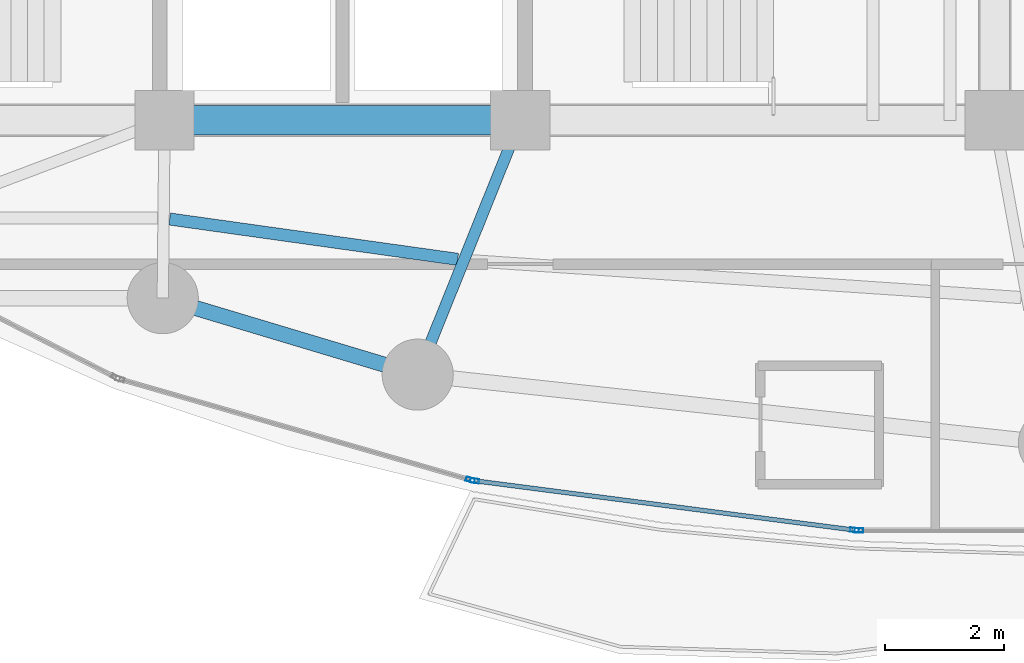
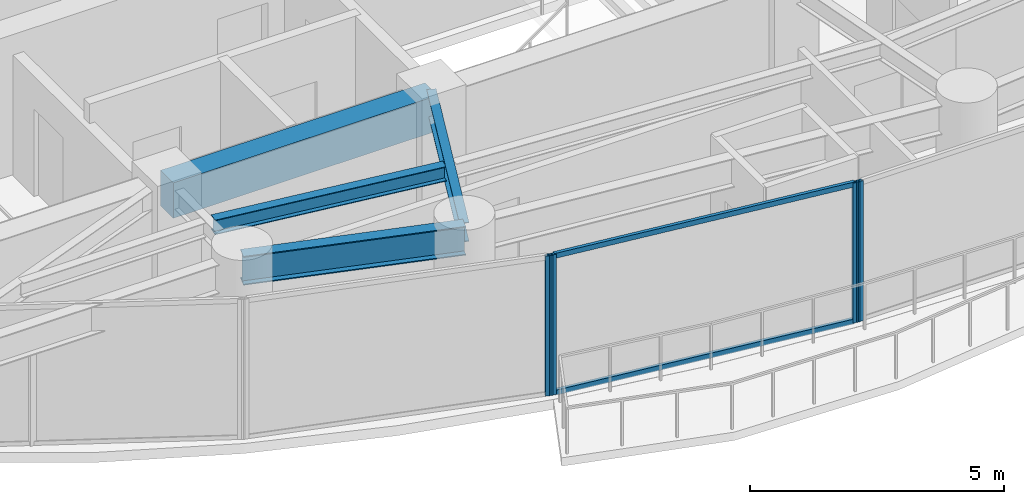
# One storey, part 5 of 28: 6 members, 4 beams, 3 elements without a shape of their own.
"""IFC4 building model written with IfcOpenShell, lengths in metres."""

from ifc_helpers import new_model, si_unit, direction, frame, origin, origin_2d, place, context, subcontext, project, spatial, rectangle, hollow_rectangle, i_section, extrude, material, layer, layer_set, material_profile, profile_set, type_object, element, aggregate, save


model = new_model("IFC4")

# Units and contexts
model_context = context("Model", 3, precision=1e-05, world=origin(), true_north=direction((0.0, 1.0)))
body_context = subcontext(model_context, "Body", "Model", "MODEL_VIEW")
ifc_project = project(units=[si_unit("LENGTHUNIT", "METRE"), si_unit("AREAUNIT", "SQUARE_METRE"), si_unit("VOLUMEUNIT", "CUBIC_METRE"), si_unit("PLANEANGLEUNIT", "RADIAN"), si_unit("MASSUNIT", "GRAM", prefix="KILO")], contexts=[model_context])

# Site, building, storey
site_placement = place(None, origin())
site = spatial("IfcSite", under=ifc_project, at=site_placement, CompositionType="ELEMENT")
building_placement = place(site_placement, origin())
building = spatial("IfcBuilding", under=site, at=building_placement, Name="Kazevale Care Tower and Concert Hall", CompositionType="ELEMENT")
storey_placement = place(building_placement, frame((0.0, 0.0, 120.60009765625)))
storey = spatial("IfcBuildingStorey", under=building, at=storey_placement, Name="L31", CompositionType="ELEMENT", Elevation=120.60009765625)

# Curtain wall, member
ifc_material_1 = material(Name="Aluminium 6063-T6 and Low-E Glass", Category="aluminium")
ifc_layer = layer(ifc_material_1, 0.179931640625)
ifc_layer_set = layer_set([ifc_layer], Name="Aluminium 6063-T6 and Low-E Glass")
curtain_wall_type = type_object("IfcCurtainWallType", Name="Sheltered Concave Balcony Curtain Wall CW-5", PredefinedType="NOTDEFINED", material=ifc_layer_set)
curtain_wall_1_placement = place(storey_placement, origin())
curtain_wall_1 = element("IfcCurtainWall", 1, at=curtain_wall_1_placement, inside=storey, type_object=curtain_wall_type, Name="cw:L31:f06", PredefinedType="NOTDEFINED")
ifc_material_2 = material(Name="Aluminium 6063-T6", Category="aluminium")
ifc_material_profile_1 = material_profile(ifc_material_2, hollow_rectangle(XDim=0.074951171875, YDim=0.14990234375, WallThickness=0.00390625, at=origin_2d()), Name="ALU75x150x4")
ifc_profile_set_1 = profile_set([ifc_material_profile_1], Name="Aluminium 6063-T6")
member_type_1 = type_object("IfcMemberType", Name="CW-5 Mullion ALU75x150x4", PredefinedType="MULLION", material=ifc_profile_set_1)
member_1_placement = place(storey_placement, frame((41.71240234375, 16.68408203125, 0.0), z_axis=(0.0, 0.0, 1.0), x_axis=(0.0, -1.0, 0.0)))
member_1 = element("IfcMember", 2, at=member_1_placement, type_object=member_type_1, Name="CW-5 mullion 2", PredefinedType="MULLION", context=body_context, shape_type="SweptSolid", body=[
    extrude(hollow_rectangle(XDim=0.074951171875, YDim=0.14990234375, WallThickness=0.00390625, at=origin_2d()), origin(), (0.0, 0.0, 1.0), 3.35986328125),
])
aggregate(curtain_wall_1, [member_1])

# Curtain wall, members
curtain_wall_2_placement = place(storey_placement, origin())
curtain_wall_2 = element("IfcCurtainWall", 3, at=curtain_wall_2_placement, inside=storey, type_object=curtain_wall_type, Name="cw:L31:f07", PredefinedType="NOTDEFINED")
member_2_placement = place(storey_placement, frame((41.6376953125, 16.688720703125, 0.0), z_axis=(0.0, 0.0, 1.0), x_axis=(-0.12868500567, -0.991685519364, 0.0)))
member_2 = element("IfcMember", 4, at=member_2_placement, type_object=member_type_1, Name="CW-5 mullion 1", PredefinedType="MULLION", context=body_context, shape_type="SweptSolid", body=[
    extrude(hollow_rectangle(XDim=0.074951171875, YDim=0.14990234375, WallThickness=0.00390625, at=origin_2d()), origin(), (0.0, 0.0, 1.0), 3.35986328125),
])
member_3_placement = place(storey_placement, frame((35.231201171875, 17.520263671875, 0.0), z_axis=(0.0, 0.0, 1.0), x_axis=(-0.12868500567, -0.991685519364, 0.0)))
member_3 = element("IfcMember", 5, at=member_3_placement, type_object=member_type_1, Name="CW-5 mullion 2", PredefinedType="MULLION", context=body_context, shape_type="SweptSolid", body=[
    extrude(hollow_rectangle(XDim=0.074951171875, YDim=0.14990234375, WallThickness=0.00390625, at=origin_2d()), origin(), (0.0, 0.0, 1.0), 3.35986328125),
])

# Curtain wall, member
curtain_wall_3_placement = place(storey_placement, origin())
curtain_wall_3 = element("IfcCurtainWall", 6, at=curtain_wall_3_placement, inside=storey, type_object=curtain_wall_type, Name="cw:L31:f08", PredefinedType="NOTDEFINED")
member_4_placement = place(storey_placement, frame((35.157958984375, 17.535400390625, 0.0), z_axis=(0.0, 0.0, 1.0), x_axis=(-0.276290733172, -0.961074102639, 0.0)))
member_4 = element("IfcMember", 7, at=member_4_placement, type_object=member_type_1, Name="CW-5 mullion 1", PredefinedType="MULLION", context=body_context, shape_type="SweptSolid", body=[
    extrude(hollow_rectangle(XDim=0.074951171875, YDim=0.14990234375, WallThickness=0.00390625, at=origin_2d()), origin(), (0.0, 0.0, 1.0), 3.35986328125),
])
aggregate(curtain_wall_3, [member_4])

# Member
ifc_material_profile_2 = material_profile(ifc_material_2, hollow_rectangle(XDim=0.074951171875, YDim=0.1201171875, WallThickness=0.00390625, at=origin_2d()), Name="ALU75x120x4")
ifc_profile_set_2 = profile_set([ifc_material_profile_2], Name="Aluminium 6063-T6")
member_type_2 = type_object("IfcMemberType", Name="CW-5 Transom ALU75x120x4", PredefinedType="USERDEFINED", material=ifc_profile_set_2)
member_5_placement = place(storey_placement, frame((41.6005859375, 16.693603515625, 0.037353515625), z_axis=(-0.991683991743, 0.12869677743, 0.0), x_axis=(-0.12869677743, -0.991683991743, 0.0)))
member_5 = element("IfcMember", 8, at=member_5_placement, type_object=member_type_2, Name="CW-5 transom 1.1", ObjectType="TRANSOM", PredefinedType="USERDEFINED", context=body_context, shape_type="SweptSolid", body=[
    extrude(hollow_rectangle(XDim=0.074951171875, YDim=0.1201171875, WallThickness=0.00390625, at=origin_2d()), origin(), (0.0, 0.0, 1.0), 6.385498046875),
])

member_6_placement = place(storey_placement, frame((41.6005859375, 16.693603515625, 3.322509765625), z_axis=(-0.991683991743, 0.12869677743, 0.0), x_axis=(-0.12869677743, -0.991683991743, 0.0)))
member_6 = element("IfcMember", 9, at=member_6_placement, type_object=member_type_2, Name="CW-5 transom 1.2", ObjectType="TRANSOM", PredefinedType="USERDEFINED", context=body_context, shape_type="SweptSolid", body=[
    extrude(hollow_rectangle(XDim=0.074951171875, YDim=0.1201171875, WallThickness=0.00390625, at=origin_2d()), origin(), (0.0, 0.0, 1.0), 6.385498046875),
])

aggregate(curtain_wall_2, [member_2, member_3, member_5, member_6])

# Beams
ifc_material_3 = material(Name="Concrete C60", Category="concrete")
ifc_material_profile_3 = material_profile(ifc_material_3, rectangle(XDim=0.5, YDim=0.85009765625, at=origin_2d()), Name="RC-B500x850")
ifc_profile_set_3 = profile_set([ifc_material_profile_3], Name="Concrete C60")
beam_type_1 = type_object("IfcBeamType", Name="Core Coupling Beam RC500x850", PredefinedType="LINTEL", material=ifc_profile_set_3)
beam_1_placement = place(storey_placement, frame((30.0, 23.60009765625, 2.934814453125), z_axis=(1.0, 0.0, 0.0), x_axis=(0.0, 1.0, 0.0)))
element("IfcBeam", 10, at=beam_1_placement, inside=storey, type_object=beam_type_1, Name="beam:L31:coretie:2", PredefinedType="LINTEL", context=body_context, shape_type="SweptSolid", body=[
    extrude(rectangle(XDim=0.5, YDim=0.85009765625, at=origin_2d()), origin(), (0.0, 0.0, 1.0), 6.0),
])
ifc_material_4 = material(Name="Steel ASTM A572 Gr 50", Category="steel")
ifc_material_profile_4 = material_profile(ifc_material_4, i_section(OverallWidth=0.19091796875, OverallDepth=0.4599609375, WebThickness=0.010009765625, FlangeThickness=0.01611328125, at=origin_2d()), Name="W460x82")
ifc_profile_set_4 = profile_set([ifc_material_profile_4], Name="Steel ASTM A572 Gr 50")
beam_type_2 = type_object("IfcBeamType", Name="Radial Floor Beam W460x82", PredefinedType="BEAM", material=ifc_profile_set_4)
beam_2_placement = place(storey_placement, frame((36.0, 23.60009765625, 3.1298828125), z_axis=(-0.373991766452, -0.927432023722, 0.0), x_axis=(0.927432023722, -0.373991766452, 0.0)))
element("IfcBeam", 11, at=beam_2_placement, inside=storey, type_object=beam_type_2, Name="beam:L31:rad:12", PredefinedType="BEAM", context=body_context, shape_type="SweptSolid", body=[
    extrude(i_section(OverallWidth=0.19091796875, OverallDepth=0.4599609375, WebThickness=0.010009765625, FlangeThickness=0.01611328125, at=origin_2d()), origin(), (0.0, 0.0, 1.0), 4.625732421875),
])
ifc_material_profile_5 = material_profile(ifc_material_4, i_section(OverallWidth=0.205078125, OverallDepth=0.35400390625, WebThickness=0.009521484375, FlangeThickness=0.016845703125, at=origin_2d()), Name="W360x79")
ifc_profile_set_5 = profile_set([ifc_material_profile_5], Name="Steel ASTM A572 Gr 50")
beam_type_3 = type_object("IfcBeamType", Name="Secondary Floor Joist W360x79", PredefinedType="JOIST", material=ifc_profile_set_5)
beam_3_placement = place(storey_placement, frame((30.0869140625, 21.93505859375, 3.182861328125), z_axis=(0.990340789942, -0.138654678164, 0.0), x_axis=(0.138654678164, 0.990340789942, 0.0)))
element("IfcBeam", 12, at=beam_3_placement, inside=storey, type_object=beam_type_3, Name="beam:L31:joist:11", PredefinedType="JOIST", context=body_context, shape_type="SweptSolid", body=[
    extrude(i_section(OverallWidth=0.205078125, OverallDepth=0.35400390625, WebThickness=0.009521484375, FlangeThickness=0.016845703125, at=origin_2d()), origin(), (0.0, 0.0, 1.0), 4.905517578125),
])
ifc_material_profile_6 = material_profile(ifc_material_4, i_section(OverallWidth=0.256103515625, OverallDepth=0.693115234375, WebThickness=0.014404296875, FlangeThickness=0.023681640625, at=origin_2d()), Name="W690x170")
ifc_profile_set_6 = profile_set([ifc_material_profile_6], Name="Steel ASTM A572 Gr 50")
beam_type_4 = type_object("IfcBeamType", Name="Waist Ring Beam W690x170", PredefinedType="BEAM", material=ifc_profile_set_6)
beam_4_placement = place(storey_placement, frame((29.969970703125, 20.60009765625, 3.013427734375), z_axis=(0.957824788464, -0.287352874709, 0.0), x_axis=(0.287352874709, 0.957824788464, 0.0)))
element("IfcBeam", 13, at=beam_4_placement, inside=storey, type_object=beam_type_4, Name="beam:L31:ring:11", PredefinedType="BEAM", context=body_context, shape_type="SweptSolid", body=[
    extrude(i_section(OverallWidth=0.256103515625, OverallDepth=0.693115234375, WebThickness=0.014404296875, FlangeThickness=0.023681640625, at=origin_2d()), origin(), (0.0, 0.0, 1.0), 4.489501953125),
])

save(model, "model.ifc")
